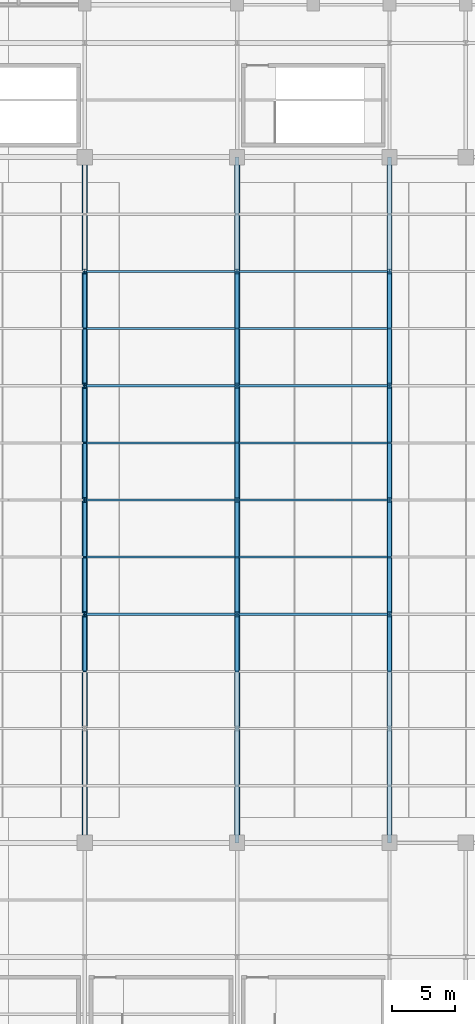
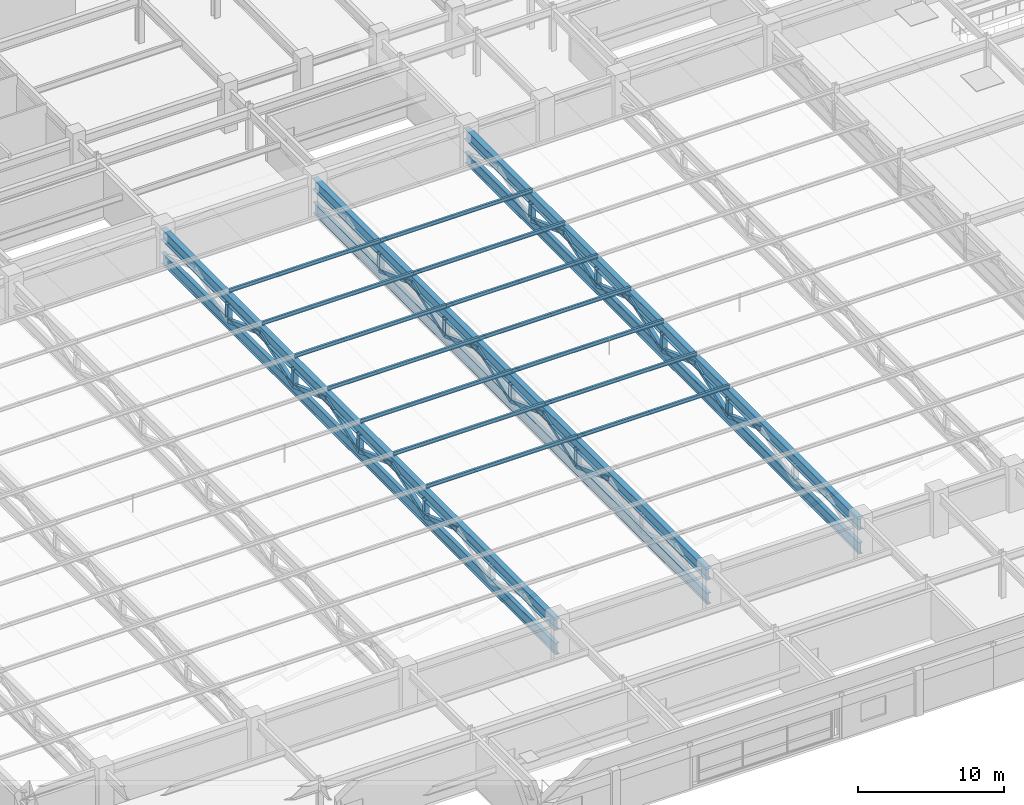
# One storey, part 38 of 108: 50 members, 3 beams.
"""IFC4 building model written with IfcOpenShell, lengths in metres."""

from ifc_helpers import new_model, si_unit, direction, frame, origin, origin_2d, place, context, subcontext, project, spatial, hollow_rectangle, i_section, extrude, material, material_profile, profile_set, type_object, element, save


model = new_model("IFC4")

# Units and contexts
model_context = context("Model", 3, precision=1e-05, world=origin(), true_north=direction((0.0, 1.0)))
body_context = subcontext(model_context, "Body", "Model", "MODEL_VIEW")
ifc_project = project(units=[si_unit("LENGTHUNIT", "METRE"), si_unit("AREAUNIT", "SQUARE_METRE"), si_unit("VOLUMEUNIT", "CUBIC_METRE"), si_unit("PLANEANGLEUNIT", "RADIAN"), si_unit("MASSUNIT", "GRAM", prefix="KILO")], contexts=[model_context])

# Site, building, storey
site_placement = place(None, origin())
site = spatial("IfcSite", under=ifc_project, at=site_placement, CompositionType="ELEMENT")
building_placement = place(site_placement, origin())
building = spatial("IfcBuilding", under=site, at=building_placement, Name="Kaldorvane Square Convention Centre", CompositionType="ELEMENT")
storey_placement = place(building_placement, frame((0.0, 0.0, 23.399993896484375)))
storey = spatial("IfcBuildingStorey", under=building, at=storey_placement, Name="L04", CompositionType="ELEMENT", Elevation=23.399993896484375)

# Beams
ifc_material_1 = material(Name="Steel ASTM A992 Gr. 50", Category="steel")
ifc_material_profile_1 = material_profile(ifc_material_1, i_section(OverallWidth=0.423004150390625, OverallDepth=0.9481964111328125, WebThickness=0.0240020751953125, FlangeThickness=0.042694091796875, FilletRadius=0.0240936279296875, at=origin_2d()), Name="W36X302")
ifc_profile_set_1 = profile_set([ifc_material_profile_1], Name="Steel ASTM A992 Gr. 50")
beam_type = type_object("IfcBeamType", Name="BM-GR-W36X302", PredefinedType="BEAM", material=ifc_profile_set_1)
for number, where, z_axis, x_axis, name in (
    (1, (66.0, 18.0, 2.7335052490234375), (0.0, 1.0, 0.0), (-1.0, 0.0, 0.0), "Hall Roof Truss RT-04 Top Chord"),
    (2, (78.0, 18.0, 2.7335052490234375), (0.0, 1.0, 0.0), (-1.0, 0.0, 0.0), "Hall Roof Truss RT-05 Top Chord"),
    (3, (90.0, 18.0, 2.7335052490234375), (0.0, 1.0, 0.0), (-1.0, 0.0, 0.0), "Hall Roof Truss RT-06 Top Chord"),
):
    element("IfcBeam", number, at=place(storey_placement, frame(where, z_axis=z_axis, x_axis=x_axis)), inside=storey, type_object=beam_type, Name=name, PredefinedType="BEAM", context=body_context, shape_type="SweptSolid", body=[
        extrude(i_section(OverallWidth=0.423004150390625, OverallDepth=0.9481964111328125, WebThickness=0.0240020751953125, FlangeThickness=0.042694091796875, FilletRadius=0.0240936279296875, at=origin_2d()), origin(), (0.0, 0.0, 1.0), 54.0),
    ])

# Members
ifc_material_2 = material(Name="Steel ASTM A500 Gr. C", Category="steel")
ifc_material_profile_2 = material_profile(ifc_material_2, hollow_rectangle(XDim=0.3047943115234375, YDim=0.3047943115234375, WallThickness=0.0117950439453125, at=origin_2d()), Name="HSS12X12X1/2")
ifc_profile_set_2 = profile_set([ifc_material_profile_2], Name="Steel ASTM A500 Gr. C")
member_type_1 = type_object("IfcMemberType", Name="MB-BR-HSS12", PredefinedType="BRACE", material=ifc_profile_set_2)
for number, where, z_axis, x_axis, name in (
    (4, (66.0, 31.5, 2.5535125732421875), (0.0, 0.937283847769, -0.348567050524), (-1.0, 0.0, 0.0), "Hall Roof Truss RT-04 Web 2B"),
    (5, (66.0, 36.0, 0.8800048828125), (0.0, 0.937283847769, 0.348567050524), (-1.0, 0.0, 0.0), "Hall Roof Truss RT-04 Web 3A"),
    (6, (66.0, 40.5, 2.5535125732421875), (0.0, 0.937283847769, -0.348567050524), (-1.0, 0.0, 0.0), "Hall Roof Truss RT-04 Web 3B"),
    (7, (66.0, 45.0, 0.8800048828125), (0.0, 0.937283847769, 0.348567050524), (-1.0, 0.0, 0.0), "Hall Roof Truss RT-04 Web 4A"),
    (8, (66.0, 49.5, 2.5535125732421875), (0.0, 0.937283847769, -0.348567050524), (-1.0, 0.0, 0.0), "Hall Roof Truss RT-04 Web 4B"),
    (9, (66.0, 54.0, 0.8800048828125), (0.0, 0.937283847769, 0.348567050524), (-1.0, 0.0, 0.0), "Hall Roof Truss RT-04 Web 5A"),
    (10, (66.0, 58.5, 2.5535125732421875), (0.0, 0.937283847769, -0.348567050524), (-1.0, 0.0, 0.0), "Hall Roof Truss RT-04 Web 5B"),
    (11, (78.0, 31.5, 2.5535125732421875), (0.0, 0.937283847769, -0.348567050524), (-1.0, 0.0, 0.0), "Hall Roof Truss RT-05 Web 2B"),
    (12, (78.0, 36.0, 0.8800048828125), (0.0, 0.937283847769, 0.348567050524), (-1.0, 0.0, 0.0), "Hall Roof Truss RT-05 Web 3A"),
    (13, (78.0, 40.5, 2.5535125732421875), (0.0, 0.937283847769, -0.348567050524), (-1.0, 0.0, 0.0), "Hall Roof Truss RT-05 Web 3B"),
    (14, (78.0, 45.0, 0.8800048828125), (0.0, 0.937283847769, 0.348567050524), (-1.0, 0.0, 0.0), "Hall Roof Truss RT-05 Web 4A"),
    (15, (78.0, 49.5, 2.5535125732421875), (0.0, 0.937283847769, -0.348567050524), (-1.0, 0.0, 0.0), "Hall Roof Truss RT-05 Web 4B"),
    (16, (78.0, 54.0, 0.8800048828125), (0.0, 0.937283847769, 0.348567050524), (-1.0, 0.0, 0.0), "Hall Roof Truss RT-05 Web 5A"),
    (17, (78.0, 58.5, 2.5535125732421875), (0.0, 0.937283847769, -0.348567050524), (-1.0, 0.0, 0.0), "Hall Roof Truss RT-05 Web 5B"),
    (18, (90.0, 31.5, 2.5535125732421875), (0.0, 0.937283847769, -0.348567050524), (-1.0, 0.0, 0.0), "Hall Roof Truss RT-06 Web 2B"),
    (19, (90.0, 36.0, 0.8800048828125), (0.0, 0.937283847769, 0.348567050524), (-1.0, 0.0, 0.0), "Hall Roof Truss RT-06 Web 3A"),
    (20, (90.0, 40.5, 2.5535125732421875), (0.0, 0.937283847769, -0.348567050524), (-1.0, 0.0, 0.0), "Hall Roof Truss RT-06 Web 3B"),
    (21, (90.0, 45.0, 0.8800048828125), (0.0, 0.937283847769, 0.348567050524), (-1.0, 0.0, 0.0), "Hall Roof Truss RT-06 Web 4A"),
    (22, (90.0, 49.5, 2.5535125732421875), (0.0, 0.937283847769, -0.348567050524), (-1.0, 0.0, 0.0), "Hall Roof Truss RT-06 Web 4B"),
    (23, (90.0, 54.0, 0.8800048828125), (0.0, 0.937283847769, 0.348567050524), (-1.0, 0.0, 0.0), "Hall Roof Truss RT-06 Web 5A"),
    (24, (90.0, 58.5, 2.5535125732421875), (0.0, 0.937283847769, -0.348567050524), (-1.0, 0.0, 0.0), "Hall Roof Truss RT-06 Web 5B"),
):
    element("IfcMember", number, at=place(storey_placement, frame(where, z_axis=z_axis, x_axis=x_axis)), inside=storey, type_object=member_type_1, Name=name, PredefinedType="BRACE", context=body_context, shape_type="SweptSolid", body=[
        extrude(hollow_rectangle(XDim=0.3047943115234375, YDim=0.3047943115234375, WallThickness=0.0117950439453125, at=origin_2d()), origin(), (0.0, 0.0, 1.0), 4.8011016845703125),
    ])
ifc_material_profile_3 = material_profile(ifc_material_1, i_section(OverallWidth=0.310302734375, OverallDepth=0.9506988525390625, WebThickness=0.0243988037109375, FlangeThickness=0.0438995361328125, FilletRadius=0.0240936279296875, at=origin_2d()), Name="W36X256")
ifc_profile_set_3 = profile_set([ifc_material_profile_3], Name="Steel ASTM A992 Gr. 50")
member_type_2 = type_object("IfcMemberType", Name="MB-CH-W36X256", PredefinedType="CHORD", material=ifc_profile_set_3)
for number, where, z_axis, x_axis, name in (
    (25, (66.0, 18.0, 0.70001220703125), (0.0, 1.0, 0.0), (-1.0, 0.0, 0.0), "Hall Roof Truss RT-04 Bottom Chord"),
    (26, (78.0, 18.0, 0.70001220703125), (0.0, 1.0, 0.0), (-1.0, 0.0, 0.0), "Hall Roof Truss RT-05 Bottom Chord"),
    (27, (90.0, 18.0, 0.70001220703125), (0.0, 1.0, 0.0), (-1.0, 0.0, 0.0), "Hall Roof Truss RT-06 Bottom Chord"),
):
    element("IfcMember", number, at=place(storey_placement, frame(where, z_axis=z_axis, x_axis=x_axis)), inside=storey, type_object=member_type_2, Name=name, PredefinedType="CHORD", context=body_context, shape_type="SweptSolid", body=[
        extrude(i_section(OverallWidth=0.310302734375, OverallDepth=0.9506988525390625, WebThickness=0.0243988037109375, FlangeThickness=0.0438995361328125, FilletRadius=0.0240936279296875, at=origin_2d()), origin(), (0.0, 0.0, 1.0), 54.0),
    ])
ifc_material_profile_4 = material_profile(ifc_material_1, i_section(OverallWidth=0.164794921875, OverallDepth=0.310394287109375, WebThickness=0.00579833984375, FlangeThickness=0.00970458984375, FilletRadius=0.007598876953125, at=origin_2d()), Name="W12X26")
ifc_profile_set_4 = profile_set([ifc_material_profile_4], Name="Steel ASTM A992 Gr. 50")
member_type_3 = type_object("IfcMemberType", Name="MB-PR-W12X26", PredefinedType="PURLIN", material=ifc_profile_set_4)
for number, where, z_axis, x_axis, name in (
    (28, (66.0, 36.0, 3.3628082275390625), (1.0, 0.0, 0.0), (0.0, 1.0, 0.0), "Hall Roof Steel Purlin"),
    (29, (66.0, 40.5, 3.3628082275390625), (1.0, 0.0, 0.0), (0.0, 1.0, 0.0), "Hall Roof Steel Purlin"),
    (30, (66.0, 45.0, 3.3628082275390625), (1.0, 0.0, 0.0), (0.0, 1.0, 0.0), "Hall Roof Steel Purlin"),
    (31, (66.0, 49.5, 3.3628082275390625), (1.0, 0.0, 0.0), (0.0, 1.0, 0.0), "Hall Roof Steel Purlin"),
    (32, (66.0, 54.0, 3.3628082275390625), (1.0, 0.0, 0.0), (0.0, 1.0, 0.0), "Hall Roof Steel Purlin"),
    (33, (66.0, 58.5, 3.3628082275390625), (1.0, 0.0, 0.0), (0.0, 1.0, 0.0), "Hall Roof Steel Purlin"),
    (34, (66.0, 63.0, 3.3628082275390625), (1.0, 0.0, 0.0), (0.0, 1.0, 0.0), "Hall Roof Steel Purlin"),
    (35, (78.0, 36.0, 3.3628082275390625), (1.0, 0.0, 0.0), (0.0, 1.0, 0.0), "Hall Roof Steel Purlin"),
    (36, (78.0, 40.5, 3.3628082275390625), (1.0, 0.0, 0.0), (0.0, 1.0, 0.0), "Hall Roof Steel Purlin"),
    (37, (78.0, 45.0, 3.3628082275390625), (1.0, 0.0, 0.0), (0.0, 1.0, 0.0), "Hall Roof Steel Purlin"),
    (38, (78.0, 49.5, 3.3628082275390625), (1.0, 0.0, 0.0), (0.0, 1.0, 0.0), "Hall Roof Steel Purlin"),
    (39, (78.0, 54.0, 3.3628082275390625), (1.0, 0.0, 0.0), (0.0, 1.0, 0.0), "Hall Roof Steel Purlin"),
    (40, (78.0, 58.5, 3.3628082275390625), (1.0, 0.0, 0.0), (0.0, 1.0, 0.0), "Hall Roof Steel Purlin"),
    (41, (78.0, 63.0, 3.3628082275390625), (1.0, 0.0, 0.0), (0.0, 1.0, 0.0), "Hall Roof Steel Purlin"),
):
    element("IfcMember", number, at=place(storey_placement, frame(where, z_axis=z_axis, x_axis=x_axis)), inside=storey, type_object=member_type_3, Name=name, PredefinedType="PURLIN", context=body_context, shape_type="SweptSolid", body=[
        extrude(i_section(OverallWidth=0.164794921875, OverallDepth=0.310394287109375, WebThickness=0.00579833984375, FlangeThickness=0.00970458984375, FilletRadius=0.007598876953125, at=origin_2d()), origin(), (0.0, 0.0, 1.0), 12.0),
    ])
ifc_material_profile_5 = material_profile(ifc_material_1, i_section(OverallWidth=0.373992919921875, OverallDepth=0.372406005859375, WebThickness=0.0164031982421875, FlangeThickness=0.0261993408203125, FilletRadius=0.0305023193359375, at=origin_2d()), Name="W14X132")
ifc_profile_set_5 = profile_set([ifc_material_profile_5], Name="Steel ASTM A992 Gr. 50")
member_type_4 = type_object("IfcMemberType", Name="MB-PS-W14X132", PredefinedType="POST", material=ifc_profile_set_5)
for number, where, z_axis, x_axis, name in (
    (42, (66.0, 36.0, 1.0500030517578125), (0.0, 0.0, 1.0), (1.0, 0.0, 0.0), "Hall Roof Truss RT-04 Post 2"),
    (43, (66.0, 45.0, 1.0500030517578125), (0.0, 0.0, 1.0), (1.0, 0.0, 0.0), "Hall Roof Truss RT-04 Post 3"),
    (44, (66.0, 54.0, 1.0500030517578125), (0.0, 0.0, 1.0), (1.0, 0.0, 0.0), "Hall Roof Truss RT-04 Post 4"),
    (45, (66.0, 63.0, 1.0500030517578125), (0.0, 0.0, 1.0), (1.0, 0.0, 0.0), "Hall Roof Truss RT-04 Post 5"),
    (46, (78.0, 36.0, 1.0500030517578125), (0.0, 0.0, 1.0), (1.0, 0.0, 0.0), "Hall Roof Truss RT-05 Post 2"),
    (47, (78.0, 45.0, 1.0500030517578125), (0.0, 0.0, 1.0), (1.0, 0.0, 0.0), "Hall Roof Truss RT-05 Post 3"),
    (48, (78.0, 54.0, 1.0500030517578125), (0.0, 0.0, 1.0), (1.0, 0.0, 0.0), "Hall Roof Truss RT-05 Post 4"),
    (49, (78.0, 63.0, 1.0500030517578125), (0.0, 0.0, 1.0), (1.0, 0.0, 0.0), "Hall Roof Truss RT-05 Post 5"),
    (50, (90.0, 36.0, 1.0500030517578125), (0.0, 0.0, 1.0), (1.0, 0.0, 0.0), "Hall Roof Truss RT-06 Post 2"),
    (51, (90.0, 45.0, 1.0500030517578125), (0.0, 0.0, 1.0), (1.0, 0.0, 0.0), "Hall Roof Truss RT-06 Post 3"),
    (52, (90.0, 54.0, 1.0500030517578125), (0.0, 0.0, 1.0), (1.0, 0.0, 0.0), "Hall Roof Truss RT-06 Post 4"),
    (53, (90.0, 63.0, 1.0500030517578125), (0.0, 0.0, 1.0), (1.0, 0.0, 0.0), "Hall Roof Truss RT-06 Post 5"),
):
    element("IfcMember", number, at=place(storey_placement, frame(where, z_axis=z_axis, x_axis=x_axis)), inside=storey, type_object=member_type_4, Name=name, PredefinedType="POST", context=body_context, shape_type="SweptSolid", body=[
        extrude(i_section(OverallWidth=0.373992919921875, OverallDepth=0.372406005859375, WebThickness=0.0164031982421875, FlangeThickness=0.0261993408203125, FilletRadius=0.0305023193359375, at=origin_2d()), origin(), (0.0, 0.0, 1.0), 1.33349609375),
    ])

save(model, "model.ifc")
